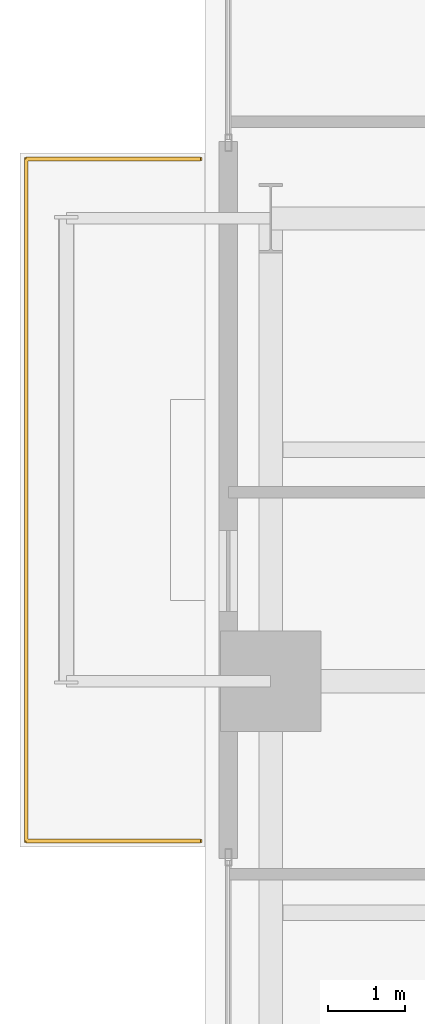
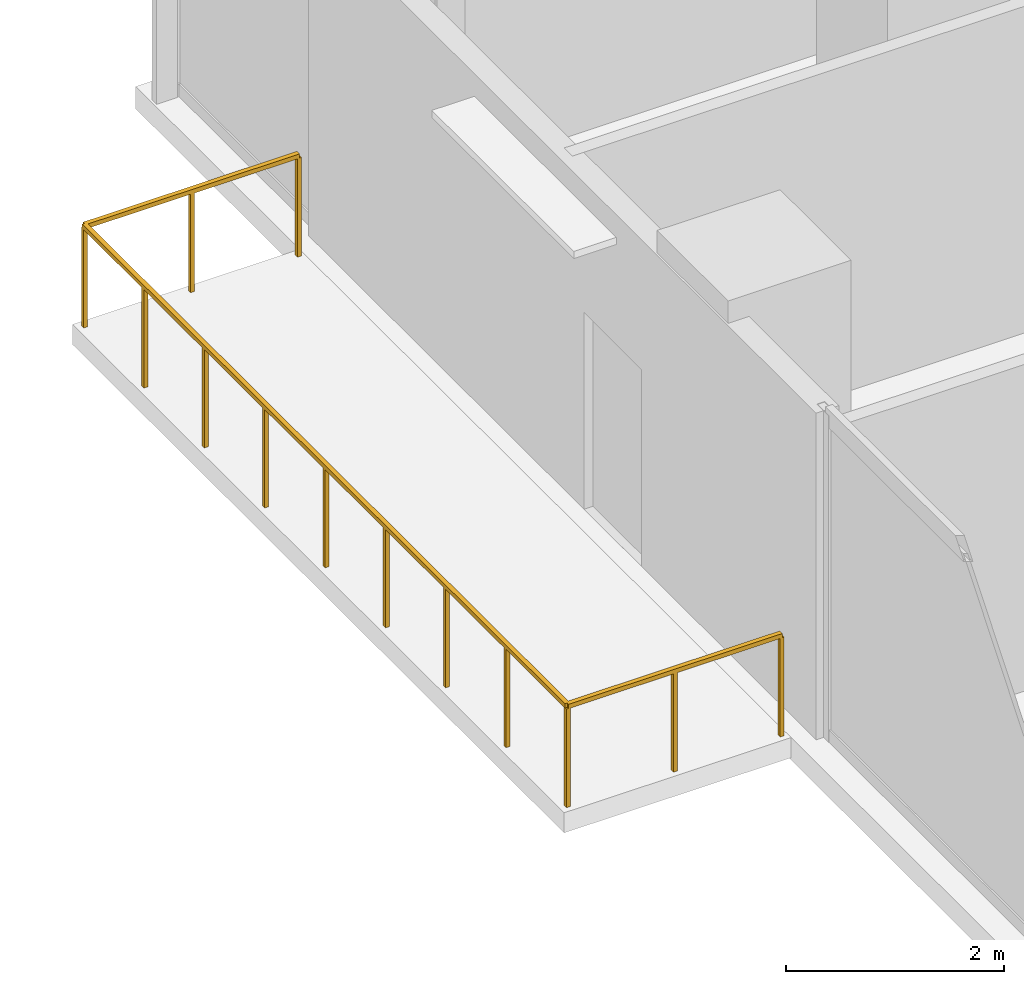
# One storey, part 27 of 27: 1 railing.
"""IFC4 building model written with IfcOpenShell, lengths in metres."""

from ifc_helpers import new_model, si_unit, direction, frame, origin, origin_2d, place, context, subcontext, project, spatial, rectangle, extrude, material, type_object, element, save


model = new_model("IFC4")

# Units and contexts
model_context = context("Model", 3, precision=1e-05, world=origin(), true_north=direction((0.0, 1.0)))
body_context = subcontext(model_context, "Body", "Model", "MODEL_VIEW")
ifc_project = project(units=[si_unit("LENGTHUNIT", "METRE"), si_unit("AREAUNIT", "SQUARE_METRE"), si_unit("VOLUMEUNIT", "CUBIC_METRE"), si_unit("PLANEANGLEUNIT", "RADIAN"), si_unit("MASSUNIT", "GRAM", prefix="KILO"), si_unit("THERMODYNAMICTEMPERATUREUNIT", "KELVIN"), si_unit("POWERUNIT", "WATT")], contexts=[model_context])

# Site, building, storey
site_placement = place(None, origin())
site = spatial("IfcSite", under=ifc_project, at=site_placement, CompositionType="ELEMENT")
building_placement = place(site_placement, origin())
building = spatial("IfcBuilding", under=site, at=building_placement, Name="Svarakhadi Broadcast Tower", CompositionType="ELEMENT")
storey_placement = place(building_placement, frame((0.0, 0.0, 59.699951171875)))
storey = spatial("IfcBuildingStorey", under=building, at=storey_placement, Name="L13", CompositionType="ELEMENT", Elevation=59.699951171875)

# Railing
ifc_material = material(Name="Laminated Structural SentryGlas Balustrade 25.5 mm", Category="glass")
railing_type = type_object("IfcRailingType", Name="Guard_Balcony_GR01", PredefinedType="BALUSTRADE", material=ifc_material)
railing_placement = place(storey_placement, frame((-0.06005859375, 33.080078125, 0.0)))
element("IfcRailing", 1, at=railing_placement, inside=storey, type_object=railing_type, Name="L13 West Tree Balcony Guard GR-05", PredefinedType="BALUSTRADE", context=body_context, shape_type="SweptSolid", body=[
    extrude(rectangle(XDim=0.048095703125, YDim=0.048095703125, at=origin_2d()), frame((0.0, 0.0, 1.1259765625), z_axis=(-1.0, 0.0, 0.0), x_axis=(0.0, -1.0, 0.0)), (0.0, 0.0, 1.0), 2.260009765625),
    extrude(rectangle(XDim=0.048095703125, YDim=0.048095703125, at=origin_2d()), frame((-2.260009765625, 0.0, 1.1259765625), z_axis=(0.0, 1.0, 0.0), x_axis=(-1.0, 0.0, 0.0)), (0.0, 0.0, 1.0), 8.83984375),
    extrude(rectangle(XDim=0.048095703125, YDim=0.048095703125, at=origin_2d()), frame((-2.260009765625, 8.83984375, 1.1259765625), z_axis=(1.0, 0.0, 0.0), x_axis=(0.0, 1.0, 0.0)), (0.0, 0.0, 1.0), 2.260009765625),
    extrude(rectangle(XDim=0.0419921875, YDim=0.0419921875, at=origin_2d()), origin(), (0.0, 0.0, 1.0), 1.101806640625),
    extrude(rectangle(XDim=0.0419921875, YDim=0.0419921875, at=origin_2d()), frame((-1.1298828125, 0.0, 0.0)), (0.0, 0.0, 1.0), 1.101806640625),
    extrude(rectangle(XDim=0.0419921875, YDim=0.0419921875, at=origin_2d()), frame((-2.260009765625, 0.0, 0.0)), (0.0, 0.0, 1.0), 1.101806640625),
    extrude(rectangle(XDim=0.0419921875, YDim=0.0419921875, at=origin_2d()), frame((-2.260009765625, 1.10498046875, 0.0)), (0.0, 0.0, 1.0), 1.101806640625),
    extrude(rectangle(XDim=0.0419921875, YDim=0.0419921875, at=origin_2d()), frame((-2.260009765625, 2.2099609375, 0.0)), (0.0, 0.0, 1.0), 1.101806640625),
    extrude(rectangle(XDim=0.0419921875, YDim=0.0419921875, at=origin_2d()), frame((-2.260009765625, 3.31494140625, 0.0)), (0.0, 0.0, 1.0), 1.101806640625),
    extrude(rectangle(XDim=0.0419921875, YDim=0.0419921875, at=origin_2d()), frame((-2.260009765625, 4.419921875, 0.0)), (0.0, 0.0, 1.0), 1.101806640625),
    extrude(rectangle(XDim=0.0419921875, YDim=0.0419921875, at=origin_2d()), frame((-2.260009765625, 5.52490234375, 0.0)), (0.0, 0.0, 1.0), 1.101806640625),
    extrude(rectangle(XDim=0.0419921875, YDim=0.0419921875, at=origin_2d()), frame((-2.260009765625, 6.6298828125, 0.0)), (0.0, 0.0, 1.0), 1.101806640625),
    extrude(rectangle(XDim=0.0419921875, YDim=0.0419921875, at=origin_2d()), frame((-2.260009765625, 7.73486328125, 0.0)), (0.0, 0.0, 1.0), 1.101806640625),
    extrude(rectangle(XDim=0.0419921875, YDim=0.0419921875, at=origin_2d()), frame((-2.260009765625, 8.83984375, 0.0)), (0.0, 0.0, 1.0), 1.101806640625),
    extrude(rectangle(XDim=0.0419921875, YDim=0.0419921875, at=origin_2d()), frame((-1.1298828125, 8.83984375, 0.0)), (0.0, 0.0, 1.0), 1.101806640625),
    extrude(rectangle(XDim=0.0419921875, YDim=0.0419921875, at=origin_2d()), frame((0.0, 8.83984375, 0.0)), (0.0, 0.0, 1.0), 1.101806640625),
])

save(model, "model.ifc")
